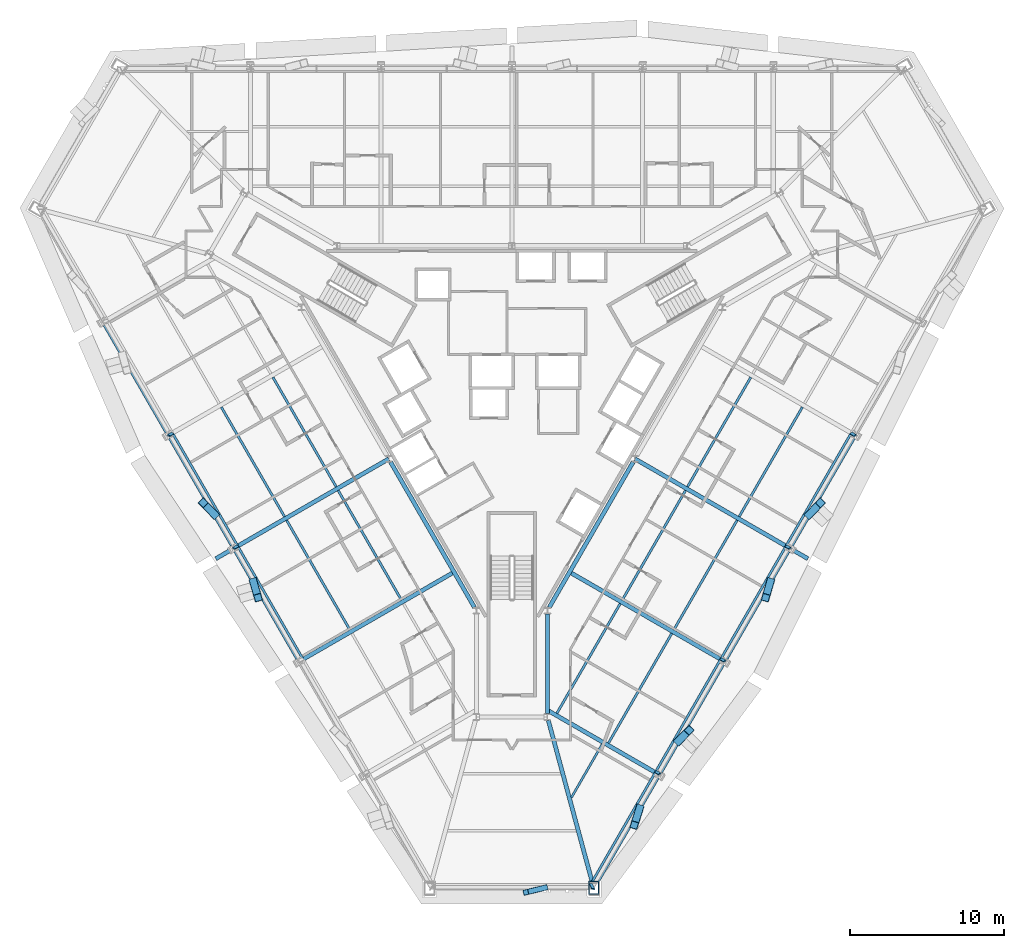
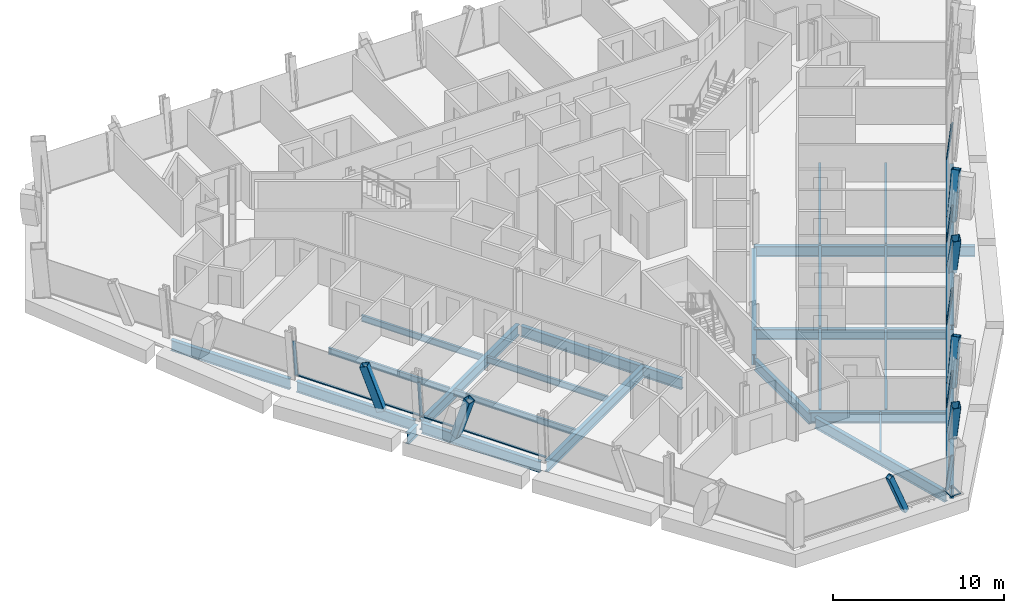
# One storey, part 3 of 15: 29 beams, 21 members, 2 elements without a shape of their own.
"""IFC4 building model written with IfcOpenShell, lengths in metres."""

from ifc_helpers import new_model, si_unit, direction, frame, origin, origin_2d, place, context, subcontext, project, spatial, rectangle, hollow_rectangle, i_section, extrude, material, material_profile, profile_set, type_object, element, aggregate, save


model = new_model("IFC4")

# Units and contexts
model_context = context("Model", 3, precision=1e-05, world=origin(), true_north=direction((0.0, 1.0)))
body_context = subcontext(model_context, "Body", "Model", "MODEL_VIEW")
ifc_project = project(units=[si_unit("LENGTHUNIT", "METRE"), si_unit("AREAUNIT", "SQUARE_METRE"), si_unit("VOLUMEUNIT", "CUBIC_METRE"), si_unit("PLANEANGLEUNIT", "RADIAN"), si_unit("MASSUNIT", "GRAM", prefix="KILO")], contexts=[model_context])

# Site, building, storey
site_placement = place(None, origin())
site = spatial("IfcSite", under=ifc_project, at=site_placement, CompositionType="ELEMENT")
building_placement = place(site_placement, origin())
building = spatial("IfcBuilding", under=site, at=building_placement, Name="Verrane Prism Tower", CompositionType="ELEMENT")
storey_placement = place(building_placement, frame((0.0, 0.0, 44.0)))
storey = spatial("IfcBuildingStorey", under=building, at=storey_placement, Name="L08", CompositionType="ELEMENT", Elevation=44.0)

# Member
ifc_material_1 = material(Name="Steel A500 Grade C", Category="steel")
ifc_material_profile_1 = material_profile(ifc_material_1, hollow_rectangle(XDim=0.355712890625, YDim=0.355712890625, WallThickness=0.0126953125, InnerFilletRadius=0.00634765625, OuterFilletRadius=0.01904296875, at=origin_2d()), Name="HSS14x14x1/2")
ifc_profile_set_1 = profile_set([ifc_material_profile_1], Name="Steel A500 Grade C")
member_type_1 = type_object("IfcMemberType", Name="Chamfer brace HSS14x14x1/2", PredefinedType="BRACE", material=ifc_profile_set_1)
member_1_placement = place(storey_placement, frame((2.14794921875, -32.360107421875, -0.2451171875), z_axis=(-0.380794939392, -0.091851539103, 0.920086142107), x_axis=(0.234484982016, -0.972119742217, 0.0)))
element("IfcMember", 1, at=member_1_placement, inside=storey, type_object=member_type_1, Name="Chamfer brace S0 L08", PredefinedType="BRACE", context=body_context, shape_type="SweptSolid", body=[
    extrude(hollow_rectangle(XDim=0.355712890625, YDim=0.355712890625, WallThickness=0.0126953125, InnerFilletRadius=0.00634765625, OuterFilletRadius=0.01904296875, at=origin_2d()), origin(), (0.0, 0.0, 1.0), 3.263916015625),
])

# Beams
ifc_material_2 = material(Name="Steel A992", Category="steel")
ifc_material_profile_2 = material_profile(ifc_material_2, i_section(OverallWidth=0.2666015625, OverallDepth=0.7568359375, WebThickness=0.013916015625, FlangeThickness=0.019287109375, FilletRadius=0.0166015625, at=origin_2d()), Name="W30x108")
ifc_profile_set_2 = profile_set([ifc_material_profile_2], Name="Steel A992")
beam_type_1 = type_object("IfcBeamType", Name="Core ring girder W30x108", PredefinedType="BEAM", material=ifc_profile_set_2)
beam_1_placement = place(storey_placement, frame((-7.849609375, -4.808349609375, -0.62841796875), z_axis=(0.500013103396, -0.866017838403, 0.0), x_axis=(0.866017838403, 0.500013103396, 0.0)))
element("IfcBeam", 2, at=beam_1_placement, inside=storey, type_object=beam_type_1, Name="Core ring girder L08", PredefinedType="BEAM", context=body_context, shape_type="SweptSolid", body=[
    extrude(i_section(OverallWidth=0.2666015625, OverallDepth=0.7568359375, WebThickness=0.013916015625, FlangeThickness=0.019287109375, FilletRadius=0.0166015625, at=origin_2d()), origin(), (0.0, 0.0, 1.0), 10.858154296875),
])
beam_2_placement = place(storey_placement, frame((2.300048828125, -21.07275390625, -0.62841796875), z_axis=(0.0, 1.0, 0.0), x_axis=(-1.0, 0.0, 0.0)))
element("IfcBeam", 3, at=beam_2_placement, inside=storey, type_object=beam_type_1, Name="Core ring girder L08", PredefinedType="BEAM", context=body_context, shape_type="SweptSolid", body=[
    extrude(i_section(OverallWidth=0.2666015625, OverallDepth=0.7568359375, WebThickness=0.013916015625, FlangeThickness=0.019287109375, FilletRadius=0.0166015625, at=origin_2d()), origin(), (0.0, 0.0, 1.0), 6.4443359375),
])
beam_3_placement = place(storey_placement, frame((2.42041015625, -14.211669921875, -0.62841796875), z_axis=(0.500013103396, 0.866017838403, 0.0), x_axis=(-0.866017838403, 0.500013103396, 0.0)))
element("IfcBeam", 4, at=beam_3_placement, inside=storey, type_object=beam_type_1, Name="Core ring girder L08", PredefinedType="BEAM", context=body_context, shape_type="SweptSolid", body=[
    extrude(i_section(OverallWidth=0.2666015625, OverallDepth=0.7568359375, WebThickness=0.013916015625, FlangeThickness=0.019287109375, FilletRadius=0.0166015625, at=origin_2d()), origin(), (0.0, 0.0, 1.0), 10.858154296875),
])
ifc_material_3 = material(Name="Steel A992", Category="steel")
ifc_material_profile_3 = material_profile(ifc_material_3, i_section(OverallWidth=0.2666015625, OverallDepth=0.76708984375, WebThickness=0.014892578125, FlangeThickness=0.023681640625, FilletRadius=0.0166015625, at=origin_2d()), Name="W30x124")
ifc_profile_set_3 = profile_set([ifc_material_profile_3], Name="Steel A992")
beam_type_2 = type_object("IfcBeamType", Name="Corner girder W30x124", PredefinedType="BEAM", material=ifc_profile_set_3)
beam_4_placement = place(storey_placement, frame((5.177978515625, -31.909912109375, -0.603515625), z_axis=(-0.261780624044, 0.965127403442, 0.0), x_axis=(-0.965127403442, -0.261780624044, 0.0)))
element("IfcBeam", 5, at=beam_4_placement, inside=storey, type_object=beam_type_2, Name="Corner girder L08", PredefinedType="BEAM", context=body_context, shape_type="SweptSolid", body=[
    extrude(i_section(OverallWidth=0.2666015625, OverallDepth=0.76708984375, WebThickness=0.014892578125, FlangeThickness=0.023681640625, FilletRadius=0.0166015625, at=origin_2d()), origin(), (0.0, 0.0, 1.0), 10.7578125),
])

# Members
ifc_material_4 = material(Name="Steel A1085 Grade A", Category="steel")
ifc_material_profile_4 = material_profile(ifc_material_4, hollow_rectangle(XDim=0.508056640625, YDim=0.508056640625, WallThickness=0.025390625, InnerFilletRadius=0.0126953125, OuterFilletRadius=0.0380859375, at=origin_2d()), Name="HSS20x20x1")
ifc_profile_set_4 = profile_set([ifc_material_profile_4], Name="Steel A1085 Grade A")
member_type_2 = type_object("IfcMemberType", Name="Facade brace HSS20x20x1", PredefinedType="BRACE", material=ifc_profile_set_4)
member_2_placement = place(storey_placement, frame((-19.248779296875, -8.201416015625, -0.24267578125), z_axis=(-0.229160512214, 0.238351441848, 0.943755291276), x_axis=(-0.720868673728, -0.693071681168, 0.0)))
element("IfcMember", 6, at=member_2_placement, inside=storey, type_object=member_type_2, Name="Facade brace SW2 L08", PredefinedType="BRACE", context=body_context, shape_type="SweptSolid", body=[
    extrude(hollow_rectangle(XDim=0.508056640625, YDim=0.508056640625, WallThickness=0.025390625, InnerFilletRadius=0.0126953125, OuterFilletRadius=0.0380859375, at=origin_2d()), origin(), (0.0, 0.0, 1.0), 3.1875),
])
member_3_placement = place(storey_placement, frame((-16.730712890625, -12.56201171875, -0.24267578125), z_axis=(0.093292511239, -0.319368047089, 0.943027336743), x_axis=(0.959883986362, 0.280397454919, 0.0)))
element("IfcMember", 7, at=member_3_placement, inside=storey, type_object=member_type_2, Name="Facade brace SW3 L08", PredefinedType="BRACE", context=body_context, shape_type="SweptSolid", body=[
    extrude(hollow_rectangle(XDim=0.508056640625, YDim=0.508056640625, WallThickness=0.025390625, InnerFilletRadius=0.0126953125, OuterFilletRadius=0.0380859375, at=origin_2d()), origin(), (0.0, 0.0, 1.0), 3.18994140625),
])
member_4_placement = place(storey_placement, frame((8.266845703125, -27.2255859375, -0.24267578125), z_axis=(-0.105697907449, -0.336760215183, 0.935639091654), x_axis=(0.954107926193, -0.299462961276, 0.0)))
element("IfcMember", 8, at=member_4_placement, inside=storey, type_object=member_type_2, Name="Facade brace SE0 L08", PredefinedType="BRACE", context=body_context, shape_type="SweptSolid", body=[
    extrude(hollow_rectangle(XDim=0.508056640625, YDim=0.508056640625, WallThickness=0.025390625, InnerFilletRadius=0.0126953125, OuterFilletRadius=0.0380859375, at=origin_2d()), origin(), (0.0, 0.0, 1.0), 3.21533203125),
])
member_5_placement = place(storey_placement, frame((10.78515625, -22.864990234375, -0.24267578125), z_axis=(0.217481194172, 0.219950817385, 0.950959288357), x_axis=(-0.71108758284, 0.703103441559, 0.0)))
element("IfcMember", 9, at=member_5_placement, inside=storey, type_object=member_type_2, Name="Facade brace SE1 L08", PredefinedType="BRACE", context=body_context, shape_type="SweptSolid", body=[
    extrude(hollow_rectangle(XDim=0.508056640625, YDim=0.508056640625, WallThickness=0.025390625, InnerFilletRadius=0.0126953125, OuterFilletRadius=0.0380859375, at=origin_2d()), origin(), (0.0, 0.0, 1.0), 3.163330078125),
])
member_6_placement = place(storey_placement, frame((16.730712890625, -12.56201171875, -0.24267578125), z_axis=(-0.093292511239, -0.319368047089, 0.943027336743), x_axis=(0.959883986362, -0.280397454919, 0.0)))
element("IfcMember", 10, at=member_6_placement, inside=storey, type_object=member_type_2, Name="Facade brace SE2 L08", PredefinedType="BRACE", context=body_context, shape_type="SweptSolid", body=[
    extrude(hollow_rectangle(XDim=0.508056640625, YDim=0.508056640625, WallThickness=0.025390625, InnerFilletRadius=0.0126953125, OuterFilletRadius=0.0380859375, at=origin_2d()), origin(), (0.0, 0.0, 1.0), 3.18994140625),
])
member_7_placement = place(storey_placement, frame((19.248779296875, -8.201416015625, -0.24267578125), z_axis=(0.229160512214, 0.238351441848, 0.943755291276), x_axis=(-0.720868673728, 0.693071681168, 0.0)))
element("IfcMember", 11, at=member_7_placement, inside=storey, type_object=member_type_2, Name="Facade brace SE3 L08", PredefinedType="BRACE", context=body_context, shape_type="SweptSolid", body=[
    extrude(hollow_rectangle(XDim=0.508056640625, YDim=0.508056640625, WallThickness=0.025390625, InnerFilletRadius=0.0126953125, OuterFilletRadius=0.0380859375, at=origin_2d()), origin(), (0.0, 0.0, 1.0), 3.1875),
])

# Beams
ifc_material_5 = material(Name="Steel A992", Category="steel")
ifc_material_profile_5 = material_profile(ifc_material_5, i_section(OverallWidth=0.140380859375, OverallDepth=0.40380859375, WebThickness=0.007080078125, FlangeThickness=0.01123046875, FilletRadius=0.01025390625, at=origin_2d()), Name="W16x31")
ifc_profile_set_5 = profile_set([ifc_material_profile_5], Name="Steel A992")
beam_type_3 = type_object("IfcBeamType", Name="Floor beam W16x31", PredefinedType="BEAM", material=ifc_profile_set_5)
beam_5_placement = place(storey_placement, frame((3.85498046875, -26.52294921875, -0.36181640625), z_axis=(0.499985753801, 0.866033628675, 0.0), x_axis=(-0.866033628675, 0.499985753801, 0.0)))
element("IfcBeam", 12, at=beam_5_placement, inside=storey, type_object=beam_type_3, Name="Floor beam L08", PredefinedType="BEAM", context=body_context, shape_type="SweptSolid", body=[
    extrude(i_section(OverallWidth=0.140380859375, OverallDepth=0.40380859375, WebThickness=0.007080078125, FlangeThickness=0.01123046875, FilletRadius=0.01025390625, at=origin_2d()), origin(), (0.0, 0.0, 1.0), 3.986328125),
])
ifc_material_6 = material(Name="Steel A992", Category="steel")
ifc_material_profile_6 = material_profile(ifc_material_6, i_section(OverallWidth=0.15234375, OverallDepth=0.449462890625, WebThickness=0.007568359375, FlangeThickness=0.0107421875, FilletRadius=0.01025390625, at=origin_2d()), Name="W18x35")
ifc_profile_set_6 = profile_set([ifc_material_profile_6], Name="Steel A992")
beam_type_4 = type_object("IfcBeamType", Name="Floor beam W18x35", PredefinedType="BEAM", material=ifc_profile_set_6)
beam_6_placement = place(storey_placement, frame((-11.37158203125, -6.408203125, -0.384765625), z_axis=(-0.500008883376, 0.866020274904, 0.0), x_axis=(-0.866020274904, -0.500008883376, 0.0)))
element("IfcBeam", 13, at=beam_6_placement, inside=storey, type_object=beam_type_4, Name="Floor beam L08", PredefinedType="BEAM", context=body_context, shape_type="SweptSolid", body=[
    extrude(i_section(OverallWidth=0.15234375, OverallDepth=0.449462890625, WebThickness=0.007568359375, FlangeThickness=0.0107421875, FilletRadius=0.01025390625, at=origin_2d()), origin(), (0.0, 0.0, 1.0), 8.189697265625),
])
beam_7_placement = place(storey_placement, frame((-14.7158203125, -8.337158203125, -0.384765625), z_axis=(-0.499971080413, 0.866042099872, 0.0), x_axis=(-0.866042099872, -0.499971080413, 0.0)))
element("IfcBeam", 14, at=beam_7_placement, inside=storey, type_object=beam_type_4, Name="Floor beam L08", PredefinedType="BEAM", context=body_context, shape_type="SweptSolid", body=[
    extrude(i_section(OverallWidth=0.15234375, OverallDepth=0.449462890625, WebThickness=0.007568359375, FlangeThickness=0.0107421875, FilletRadius=0.01025390625, at=origin_2d()), origin(), (0.0, 0.0, 1.0), 8.1884765625),
])
for number, where, z_axis, x_axis, name in (
    (15, (-7.145751953125, -13.740478515625, -0.384765625), (-0.499993199895, 0.866029329791, 0.0), (-0.866029329791, -0.499993199895, 0.0), "Floor beam L08"),
    (16, (-10.486328125, -15.66748046875, -0.384765625), (-0.499993199895, 0.866029329791, 0.0), (-0.866029329791, -0.499993199895, 0.0), "Floor beam L08"),
):
    element("IfcBeam", number, at=place(storey_placement, frame(where, z_axis=z_axis, x_axis=x_axis)), inside=storey, type_object=beam_type_4, Name=name, PredefinedType="BEAM", context=body_context, shape_type="SweptSolid", body=[
        extrude(i_section(OverallWidth=0.15234375, OverallDepth=0.449462890625, WebThickness=0.007568359375, FlangeThickness=0.0107421875, FilletRadius=0.01025390625, at=origin_2d()), origin(), (0.0, 0.0, 1.0), 8.19580078125),
    ])
beam_8_placement = place(storey_placement, frame((6.255615234375, -22.997314453125, -0.384765625), z_axis=(0.499980301665, 0.866036776325, 0.0), x_axis=(-0.866036776325, 0.499980301665, 0.0)))
element("IfcBeam", 17, at=beam_8_placement, inside=storey, type_object=beam_type_4, Name="Floor beam L08", PredefinedType="BEAM", context=body_context, shape_type="SweptSolid", body=[
    extrude(i_section(OverallWidth=0.15234375, OverallDepth=0.449462890625, WebThickness=0.007568359375, FlangeThickness=0.0107421875, FilletRadius=0.01025390625, at=origin_2d()), origin(), (0.0, 0.0, 1.0), 8.196044921875),
])
beam_9_placement = place(storey_placement, frame((2.914306640625, -21.0703125, -0.384765625), z_axis=(0.499989744381, 0.866031324788, 0.0), x_axis=(-0.866031324788, 0.499989744381, 0.0)))
element("IfcBeam", 18, at=beam_9_placement, inside=storey, type_object=beam_type_4, Name="Floor beam L08", PredefinedType="BEAM", context=body_context, shape_type="SweptSolid", body=[
    extrude(i_section(OverallWidth=0.15234375, OverallDepth=0.449462890625, WebThickness=0.007568359375, FlangeThickness=0.0107421875, FilletRadius=0.01025390625, at=origin_2d()), origin(), (0.0, 0.0, 1.0), 8.196533203125),
])
for number, where, z_axis, x_axis, name in (
    (19, (10.486328125, -15.66748046875, -0.384765625), (0.499993199895, 0.866029329791, 0.0), (-0.866029329791, 0.499993199895, 0.0), "Floor beam L08"),
    (20, (7.145751953125, -13.740478515625, -0.384765625), (0.499993199895, 0.866029329791, 0.0), (-0.866029329791, 0.499993199895, 0.0), "Floor beam L08"),
):
    element("IfcBeam", number, at=place(storey_placement, frame(where, z_axis=z_axis, x_axis=x_axis)), inside=storey, type_object=beam_type_4, Name=name, PredefinedType="BEAM", context=body_context, shape_type="SweptSolid", body=[
        extrude(i_section(OverallWidth=0.15234375, OverallDepth=0.449462890625, WebThickness=0.007568359375, FlangeThickness=0.0107421875, FilletRadius=0.01025390625, at=origin_2d()), origin(), (0.0, 0.0, 1.0), 8.19580078125),
    ])
beam_10_placement = place(storey_placement, frame((14.7158203125, -8.337158203125, -0.384765625), z_axis=(0.499971080413, 0.866042099872, 0.0), x_axis=(-0.866042099872, 0.499971080413, 0.0)))
element("IfcBeam", 21, at=beam_10_placement, inside=storey, type_object=beam_type_4, Name="Floor beam L08", PredefinedType="BEAM", context=body_context, shape_type="SweptSolid", body=[
    extrude(i_section(OverallWidth=0.15234375, OverallDepth=0.449462890625, WebThickness=0.007568359375, FlangeThickness=0.0107421875, FilletRadius=0.01025390625, at=origin_2d()), origin(), (0.0, 0.0, 1.0), 8.1884765625),
])
beam_11_placement = place(storey_placement, frame((11.37158203125, -6.408203125, -0.384765625), z_axis=(0.500008883376, 0.866020274904, 0.0), x_axis=(-0.866020274904, 0.500008883376, 0.0)))
element("IfcBeam", 22, at=beam_11_placement, inside=storey, type_object=beam_type_4, Name="Floor beam L08", PredefinedType="BEAM", context=body_context, shape_type="SweptSolid", body=[
    extrude(i_section(OverallWidth=0.15234375, OverallDepth=0.449462890625, WebThickness=0.007568359375, FlangeThickness=0.0107421875, FilletRadius=0.01025390625, at=origin_2d()), origin(), (0.0, 0.0, 1.0), 8.189697265625),
])

# Member
ifc_material_7 = material(Name="Steel A572 Grade 50", Category="steel")
ifc_material_profile_7 = material_profile(ifc_material_7, hollow_rectangle(XDim=0.699951171875, YDim=0.89990234375, WallThickness=0.06494140625, at=origin_2d()), Name="BOX 900x700x65")
ifc_profile_set_7 = profile_set([ifc_material_profile_7], Name="Steel A572 Grade 50")
member_type_3 = type_object("IfcMemberType", Name="Kink node BOX 900x700x65", PredefinedType="COLLAR", material=ifc_profile_set_7)
member_8_placement = place(storey_placement, frame((5.301025390625, -32.361572265625, -0.0400390625), z_axis=(0.0, 0.0, 1.0), x_axis=(-1.0, 0.0, 0.0)))
element("IfcMember", 23, at=member_8_placement, inside=storey, type_object=member_type_3, Name="Kink node MC3 L08", PredefinedType="COLLAR", context=body_context, shape_type="SweptSolid", body=[
    extrude(hollow_rectangle(XDim=0.699951171875, YDim=0.89990234375, WallThickness=0.06494140625, at=origin_2d()), origin(), (0.0, 0.0, 1.0), 0.080078125),
])

# Curtain wall, members
ifc_material_8 = material(Name="Aluminium framed insulated glazing", Category="aluminium")
curtain_wall_type = type_object("IfcCurtainWallType", Name="Curtain wall CW-A 8400 module", PredefinedType="NOTDEFINED", material=ifc_material_8)
curtain_wall_1_placement = place(storey_placement, origin())
curtain_wall_1 = element("IfcCurtainWall", 24, at=curtain_wall_1_placement, inside=storey, type_object=curtain_wall_type, Name="Glazed curtain wall south-west face L08", PredefinedType="NOTDEFINED")
ifc_material_9 = material(Name="Aluminium alloy 6063-T6", Category="aluminium")
ifc_material_profile_8 = material_profile(ifc_material_9, rectangle(XDim=0.199951171875, YDim=0.070068359375, at=origin_2d()), Name="Mullion 70x200 aluminium")
ifc_profile_set_8 = profile_set([ifc_material_profile_8], Name="Aluminium alloy 6063-T6")
member_type_4 = type_object("IfcMemberType", Name="Mullion 70x200 aluminium", PredefinedType="MULLION", material=ifc_profile_set_8)
member_9_placement = place(storey_placement, frame((-21.962646484375, -2.941650390625, 0.0), z_axis=(-0.098772084644, -0.056998176665, 0.993476362654), x_axis=(0.863094510418, -0.501813392173, 0.057019168033)))
member_9 = element("IfcMember", 25, at=member_9_placement, type_object=member_type_4, Name="CW06.4 mullion 3", PredefinedType="MULLION", context=body_context, shape_type="SweptSolid", body=[
    extrude(rectangle(XDim=0.199951171875, YDim=0.070068359375, at=origin_2d()), origin(), (0.0, 0.0, 1.0), 2.6298828125),
])
member_10_placement = place(storey_placement, frame((-17.74560546875, -10.24560546875, 0.0), z_axis=(-0.098772084644, -0.056998176665, 0.993476362654), x_axis=(0.863094510418, -0.501813392173, 0.057019168033)))
member_10 = element("IfcMember", 26, at=member_10_placement, type_object=member_type_4, Name="CW06.4 mullion 4", PredefinedType="MULLION", context=body_context, shape_type="SweptSolid", body=[
    extrude(rectangle(XDim=0.199951171875, YDim=0.070068359375, at=origin_2d()), origin(), (0.0, 0.0, 1.0), 2.6298828125),
])

curtain_wall_2_placement = place(storey_placement, origin())
curtain_wall_2 = element("IfcCurtainWall", 27, at=curtain_wall_2_placement, inside=storey, type_object=curtain_wall_type, Name="Glazed curtain wall south-east face L08", PredefinedType="NOTDEFINED")
member_11_placement = place(storey_placement, frame((5.1123046875, -32.126953125, 0.0), z_axis=(0.058947479744, -0.125390635877, 0.99035467539), x_axis=(-0.99440989325, 0.079684067775, 0.069277799835)))
member_11 = element("IfcMember", 28, at=member_11_placement, type_object=member_type_4, Name="CW06.6 mullion 1", PredefinedType="MULLION", context=body_context, shape_type="SweptSolid", body=[
    extrude(rectangle(XDim=0.199951171875, YDim=0.070068359375, at=origin_2d()), origin(), (0.0, 0.0, 1.0), 2.63818359375),
])
member_12_placement = place(storey_placement, frame((9.311767578125, -24.853271484375, 0.0), z_axis=(0.098863485114, -0.057090181545, 0.993461988444), x_axis=(-0.863237719028, -0.501559881513, 0.057081745808)))
member_12 = element("IfcMember", 29, at=member_12_placement, type_object=member_type_4, Name="CW06.6 mullion 2", PredefinedType="MULLION", context=body_context, shape_type="SweptSolid", body=[
    extrude(rectangle(XDim=0.199951171875, YDim=0.070068359375, at=origin_2d()), origin(), (0.0, 0.0, 1.0), 2.6298828125),
])
member_13_placement = place(storey_placement, frame((13.52880859375, -17.54931640625, 0.0), z_axis=(0.098771561601, -0.057090705249, 0.99347110174), x_axis=(-0.863445683103, -0.501206298357, 0.057042079362)))
member_13 = element("IfcMember", 30, at=member_13_placement, type_object=member_type_4, Name="CW06.6 mullion 3", PredefinedType="MULLION", context=body_context, shape_type="SweptSolid", body=[
    extrude(rectangle(XDim=0.199951171875, YDim=0.070068359375, at=origin_2d()), origin(), (0.0, 0.0, 1.0), 2.6298828125),
])
member_14_placement = place(storey_placement, frame((17.74560546875, -10.24560546875, 0.0), z_axis=(0.098864008635, -0.056997653805, 0.993467249212), x_axis=(-0.862886463902, -0.502166543996, 0.057058851247)))
member_14 = element("IfcMember", 31, at=member_14_placement, type_object=member_type_4, Name="CW06.6 mullion 4", PredefinedType="MULLION", context=body_context, shape_type="SweptSolid", body=[
    extrude(rectangle(XDim=0.199951171875, YDim=0.070068359375, at=origin_2d()), origin(), (0.0, 0.0, 1.0), 2.6298828125),
])
member_15_placement = place(storey_placement, frame((21.962646484375, -2.941650390625, 0.0), z_axis=(0.098772084644, -0.056998176665, 0.993476362654), x_axis=(-0.863094510418, -0.501813392173, 0.057019168033)))
member_15 = element("IfcMember", 32, at=member_15_placement, type_object=member_type_4, Name="CW06.6 mullion 5", PredefinedType="MULLION", context=body_context, shape_type="SweptSolid", body=[
    extrude(rectangle(XDim=0.199951171875, YDim=0.070068359375, at=origin_2d()), origin(), (0.0, 0.0, 1.0), 2.6298828125),
])

# Beams
ifc_material_10 = material(Name="Steel A992", Category="steel")
ifc_material_profile_9 = material_profile(ifc_material_10, i_section(OverallWidth=0.2666015625, OverallDepth=0.76708984375, WebThickness=0.014892578125, FlangeThickness=0.023681640625, FilletRadius=0.0166015625, at=origin_2d()), Name="W30x124")
ifc_profile_set_9 = profile_set([ifc_material_profile_9], Name="Steel A992")
beam_type_5 = type_object("IfcBeamType", Name="Radial girder W30x124", PredefinedType="BEAM", material=ifc_profile_set_9)
beam_12_placement = place(storey_placement, frame((-17.760009765625, -10.247314453125, -0.603515625), z_axis=(0.866021191252, 0.500007296249, 0.0), x_axis=(-0.500007296249, 0.866021191252, 0.0)))
element("IfcBeam", 33, at=beam_12_placement, inside=storey, type_object=beam_type_5, Name="Radial girder L08", PredefinedType="BEAM", context=body_context, shape_type="SweptSolid", body=[
    extrude(i_section(OverallWidth=0.2666015625, OverallDepth=0.76708984375, WebThickness=0.014892578125, FlangeThickness=0.023681640625, FilletRadius=0.0166015625, at=origin_2d()), origin(), (0.0, 0.0, 1.0), 11.302001953125),
])
beam_13_placement = place(storey_placement, frame((-13.530029296875, -17.577392578125, -0.603515625), z_axis=(0.866021579651, 0.500006623535, 0.0), x_axis=(-0.500006623535, 0.866021579651, 0.0)))
element("IfcBeam", 34, at=beam_13_placement, inside=storey, type_object=beam_type_5, Name="Radial girder L08", PredefinedType="BEAM", context=body_context, shape_type="SweptSolid", body=[
    extrude(i_section(OverallWidth=0.2666015625, OverallDepth=0.76708984375, WebThickness=0.014892578125, FlangeThickness=0.023681640625, FilletRadius=0.0166015625, at=origin_2d()), origin(), (0.0, 0.0, 1.0), 11.303955078125),
])
beam_14_placement = place(storey_placement, frame((9.300048828125, -24.9072265625, -0.603515625), z_axis=(-0.866022616891, 0.50000482701, 0.0), x_axis=(-0.50000482701, -0.866022616891, 0.0)))
element("IfcBeam", 35, at=beam_14_placement, inside=storey, type_object=beam_type_5, Name="Radial girder L08", PredefinedType="BEAM", context=body_context, shape_type="SweptSolid", body=[
    extrude(i_section(OverallWidth=0.2666015625, OverallDepth=0.76708984375, WebThickness=0.014892578125, FlangeThickness=0.023681640625, FilletRadius=0.0166015625, at=origin_2d()), origin(), (0.0, 0.0, 1.0), 8.0830078125),
])
beam_15_placement = place(storey_placement, frame((13.530029296875, -17.577392578125, -0.603515625), z_axis=(-0.866021579651, 0.500006623535, 0.0), x_axis=(-0.500006623535, -0.866021579651, 0.0)))
element("IfcBeam", 36, at=beam_15_placement, inside=storey, type_object=beam_type_5, Name="Radial girder L08", PredefinedType="BEAM", context=body_context, shape_type="SweptSolid", body=[
    extrude(i_section(OverallWidth=0.2666015625, OverallDepth=0.76708984375, WebThickness=0.014892578125, FlangeThickness=0.023681640625, FilletRadius=0.0166015625, at=origin_2d()), origin(), (0.0, 0.0, 1.0), 11.303955078125),
])
beam_16_placement = place(storey_placement, frame((17.760009765625, -10.247314453125, -0.603515625), z_axis=(-0.866021191252, 0.500007296249, 0.0), x_axis=(-0.500007296249, -0.866021191252, 0.0)))
element("IfcBeam", 37, at=beam_16_placement, inside=storey, type_object=beam_type_5, Name="Radial girder L08", PredefinedType="BEAM", context=body_context, shape_type="SweptSolid", body=[
    extrude(i_section(OverallWidth=0.2666015625, OverallDepth=0.76708984375, WebThickness=0.014892578125, FlangeThickness=0.023681640625, FilletRadius=0.0166015625, at=origin_2d()), origin(), (0.0, 0.0, 1.0), 11.302001953125),
])
beam_17_placement = place(storey_placement, frame((-18.21630859375, -10.5107421875, -0.603515625), z_axis=(-0.866037899034, -0.499978356969, 0.0), x_axis=(0.499978356969, -0.866037899034, 0.0)))
element("IfcBeam", 38, at=beam_17_placement, inside=storey, type_object=beam_type_5, Name="Cantilever girder L08", PredefinedType="BEAM", context=body_context, shape_type="SweptSolid", body=[
    extrude(i_section(OverallWidth=0.2666015625, OverallDepth=0.76708984375, WebThickness=0.014892578125, FlangeThickness=0.023681640625, FilletRadius=0.0166015625, at=origin_2d()), origin(), (0.0, 0.0, 1.0), 1.10107421875),
])
beam_18_placement = place(storey_placement, frame((18.21630859375, -10.5107421875, -0.603515625), z_axis=(0.866063652425, -0.499933745558, 0.0), x_axis=(0.499933745558, 0.866063652425, 0.0)))
element("IfcBeam", 39, at=beam_18_placement, inside=storey, type_object=beam_type_5, Name="Cantilever girder L08", PredefinedType="BEAM", context=body_context, shape_type="SweptSolid", body=[
    extrude(i_section(OverallWidth=0.2666015625, OverallDepth=0.76708984375, WebThickness=0.014892578125, FlangeThickness=0.023681640625, FilletRadius=0.0166015625, at=origin_2d()), origin(), (0.0, 0.0, 1.0), 1.100341796875),
])
ifc_material_11 = material(Name="Steel A992", Category="steel")
ifc_material_profile_10 = material_profile(ifc_material_11, i_section(OverallWidth=0.2666015625, OverallDepth=0.7568359375, WebThickness=0.013916015625, FlangeThickness=0.019287109375, FilletRadius=0.0166015625, at=origin_2d()), Name="W30x108")
ifc_profile_set_10 = profile_set([ifc_material_profile_10], Name="Steel A992")
beam_type_6 = type_object("IfcBeamType", Name="Spandrel beam W30x108", PredefinedType="SPANDREL", material=ifc_profile_set_10)
beam_19_placement = place(storey_placement, frame((-26.339599609375, 4.07861328125, -0.53857421875), z_axis=(0.499815553799, -0.866131867663, 0.0), x_axis=(0.866131867663, 0.499815553799, 0.0)))
element("IfcBeam", 40, at=beam_19_placement, inside=storey, type_object=beam_type_6, Name="Spandrel beam L08", PredefinedType="SPANDREL", context=body_context, shape_type="SweptSolid", body=[
    extrude(i_section(OverallWidth=0.2666015625, OverallDepth=0.7568359375, WebThickness=0.013916015625, FlangeThickness=0.019287109375, FilletRadius=0.0166015625, at=origin_2d()), origin(), (0.0, 0.0, 1.0), 8.02099609375),
])
beam_20_placement = place(storey_placement, frame((-22.109375, -3.251220703125, -0.53857421875), z_axis=(0.500320239717, -0.865840434335, 0.0), x_axis=(0.865840434335, 0.500320239717, 0.0)))
element("IfcBeam", 41, at=beam_20_placement, inside=storey, type_object=beam_type_6, Name="Spandrel beam L08", PredefinedType="SPANDREL", context=body_context, shape_type="SweptSolid", body=[
    extrude(i_section(OverallWidth=0.2666015625, OverallDepth=0.7568359375, WebThickness=0.013916015625, FlangeThickness=0.019287109375, FilletRadius=0.0166015625, at=origin_2d()), origin(), (0.0, 0.0, 1.0), 8.012451171875),
])
beam_21_placement = place(storey_placement, frame((-17.87939453125, -10.5712890625, -0.53857421875), z_axis=(0.499792719477, -0.86614504418, 0.0), x_axis=(0.86614504418, 0.499792719477, 0.0)))
element("IfcBeam", 42, at=beam_21_placement, inside=storey, type_object=beam_type_6, Name="Spandrel beam L08", PredefinedType="SPANDREL", context=body_context, shape_type="SweptSolid", body=[
    extrude(i_section(OverallWidth=0.2666015625, OverallDepth=0.7568359375, WebThickness=0.013916015625, FlangeThickness=0.019287109375, FilletRadius=0.0166015625, at=origin_2d()), origin(), (0.0, 0.0, 1.0), 8.02099609375),
])
beam_22_placement = place(storey_placement, frame((5.56005859375, -31.909912109375, -0.53857421875), z_axis=(0.500332437573, 0.865833385769, 0.0), x_axis=(-0.865833385769, 0.500332437573, 0.0)))
element("IfcBeam", 43, at=beam_22_placement, inside=storey, type_object=beam_type_6, Name="Spandrel beam L08", PredefinedType="SPANDREL", context=body_context, shape_type="SweptSolid", body=[
    extrude(i_section(OverallWidth=0.2666015625, OverallDepth=0.7568359375, WebThickness=0.013916015625, FlangeThickness=0.019287109375, FilletRadius=0.0166015625, at=origin_2d()), origin(), (0.0, 0.0, 1.0), 7.713623046875),
])
for number, where, z_axis, x_axis, name in (
    (44, (9.640380859375, -24.8486328125, -0.53857421875), (0.499815553799, 0.866131867663, 0.0), (-0.866131867663, 0.499815553799, 0.0), "Spandrel beam L08"),
    (45, (13.87060546875, -17.5185546875, -0.53857421875), (0.499792719477, 0.86614504418, 0.0), (-0.86614504418, 0.499792719477, 0.0), "Spandrel beam L08"),
):
    element("IfcBeam", number, at=place(storey_placement, frame(where, z_axis=z_axis, x_axis=x_axis)), inside=storey, type_object=beam_type_6, Name=name, PredefinedType="SPANDREL", context=body_context, shape_type="SweptSolid", body=[
        extrude(i_section(OverallWidth=0.2666015625, OverallDepth=0.7568359375, WebThickness=0.013916015625, FlangeThickness=0.019287109375, FilletRadius=0.0166015625, at=origin_2d()), origin(), (0.0, 0.0, 1.0), 8.02099609375),
    ])
beam_23_placement = place(storey_placement, frame((18.1005859375, -10.188720703125, -0.53857421875), z_axis=(0.500320239717, 0.865840434335, 0.0), x_axis=(-0.865840434335, 0.500320239717, 0.0)))
element("IfcBeam", 46, at=beam_23_placement, inside=storey, type_object=beam_type_6, Name="Spandrel beam L08", PredefinedType="SPANDREL", context=body_context, shape_type="SweptSolid", body=[
    extrude(i_section(OverallWidth=0.2666015625, OverallDepth=0.7568359375, WebThickness=0.013916015625, FlangeThickness=0.019287109375, FilletRadius=0.0166015625, at=origin_2d()), origin(), (0.0, 0.0, 1.0), 8.012451171875),
])

# Member
ifc_material_12 = material(Name="Aluminium alloy 6063-T6", Category="aluminium")
ifc_material_profile_11 = material_profile(ifc_material_12, rectangle(XDim=0.14990234375, YDim=0.070068359375, at=origin_2d()), Name="Transom 70x150 aluminium")
ifc_profile_set_11 = profile_set([ifc_material_profile_11], Name="Aluminium alloy 6063-T6")
member_type_5 = type_object("IfcMemberType", Name="Transom 70x150 aluminium", PredefinedType="USERDEFINED", material=ifc_profile_set_11)
member_16_placement = place(storey_placement, frame((-21.945068359375, -2.971923828125, 0.034912109375), z_axis=(0.500003770246, -0.866023227021, 0.0), x_axis=(0.866023227021, 0.500003770246, 0.0)))
member_16 = element("IfcMember", 47, at=member_16_placement, type_object=member_type_5, Name="CW06.4 transom 3", ObjectType="TRANSOM", PredefinedType="USERDEFINED", context=body_context, shape_type="SweptSolid", body=[
    extrude(rectangle(XDim=0.14990234375, YDim=0.070068359375, at=origin_2d()), origin(), (0.0, 0.0, 1.0), 8.36376953125),
])

member_17_placement = place(storey_placement, frame((-17.728271484375, -10.27587890625, 0.034912109375), z_axis=(0.500003770246, -0.866023227021, 0.0), x_axis=(0.866023227021, 0.500003770246, 0.0)))
member_17 = element("IfcMember", 48, at=member_17_placement, type_object=member_type_5, Name="CW06.4 transom 4", ObjectType="TRANSOM", PredefinedType="USERDEFINED", context=body_context, shape_type="SweptSolid", body=[
    extrude(rectangle(XDim=0.14990234375, YDim=0.070068359375, at=origin_2d()), origin(), (0.0, 0.0, 1.0), 8.36376953125),
])

aggregate(curtain_wall_1, [member_9, member_10, member_16, member_17])

member_18_placement = place(storey_placement, frame((5.1298828125, -32.0966796875, 0.034912109375), z_axis=(0.500016788349, 0.86601571081, 0.0), x_axis=(-0.86601571081, 0.500016788349, 0.0)))
member_18 = element("IfcMember", 49, at=member_18_placement, type_object=member_type_5, Name="CW06.6 transom 1", ObjectType="TRANSOM", PredefinedType="USERDEFINED", context=body_context, shape_type="SweptSolid", body=[
    extrude(rectangle(XDim=0.14990234375, YDim=0.070068359375, at=origin_2d()), origin(), (0.0, 0.0, 1.0), 8.328857421875),
])

member_19_placement = place(storey_placement, frame((9.329345703125, -24.822998046875, 0.034912109375), z_axis=(0.500003770246, 0.866023227021, 0.0), x_axis=(-0.866023227021, 0.500003770246, 0.0)))
member_19 = element("IfcMember", 50, at=member_19_placement, type_object=member_type_5, Name="CW06.6 transom 2", ObjectType="TRANSOM", PredefinedType="USERDEFINED", context=body_context, shape_type="SweptSolid", body=[
    extrude(rectangle(XDim=0.14990234375, YDim=0.070068359375, at=origin_2d()), origin(), (0.0, 0.0, 1.0), 8.36376953125),
])

member_20_placement = place(storey_placement, frame((13.54638671875, -17.51904296875, 0.034912109375), z_axis=(0.500003770246, 0.866023227021, 0.0), x_axis=(-0.866023227021, 0.500003770246, 0.0)))
member_20 = element("IfcMember", 51, at=member_20_placement, type_object=member_type_5, Name="CW06.6 transom 3", ObjectType="TRANSOM", PredefinedType="USERDEFINED", context=body_context, shape_type="SweptSolid", body=[
    extrude(rectangle(XDim=0.14990234375, YDim=0.070068359375, at=origin_2d()), origin(), (0.0, 0.0, 1.0), 8.36376953125),
])

member_21_placement = place(storey_placement, frame((17.76318359375, -10.215087890625, 0.034912109375), z_axis=(0.500003770246, 0.866023227021, 0.0), x_axis=(-0.866023227021, 0.500003770246, 0.0)))
member_21 = element("IfcMember", 52, at=member_21_placement, type_object=member_type_5, Name="CW06.6 transom 4", ObjectType="TRANSOM", PredefinedType="USERDEFINED", context=body_context, shape_type="SweptSolid", body=[
    extrude(rectangle(XDim=0.14990234375, YDim=0.070068359375, at=origin_2d()), origin(), (0.0, 0.0, 1.0), 8.36376953125),
])

aggregate(curtain_wall_2, [member_11, member_12, member_13, member_14, member_15, member_18, member_19, member_20, member_21])

save(model, "model.ifc")
